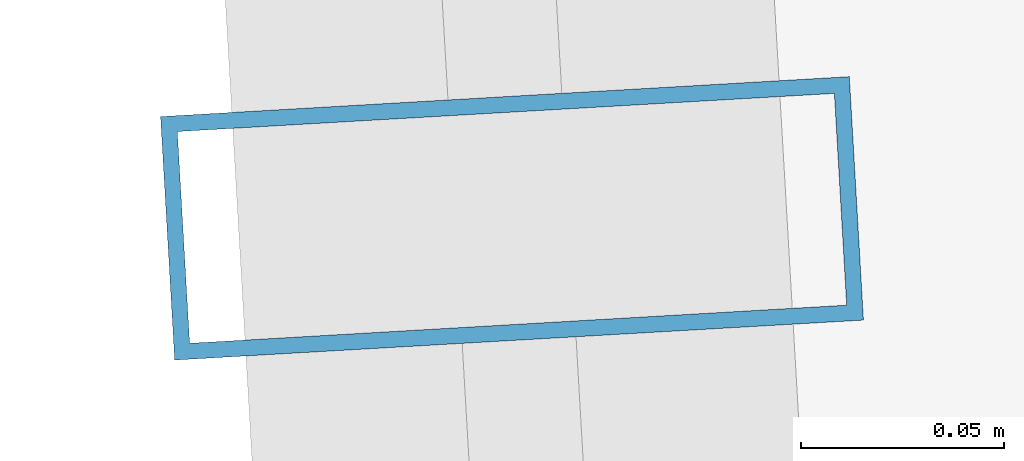
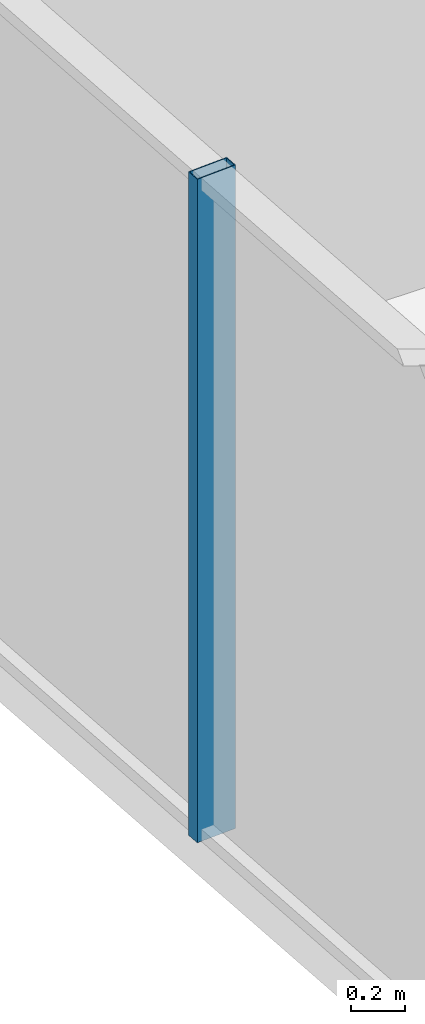
# One storey, part 10 of 33: 1 member, 1 element without a shape of its own.
"""IFC4 building model written with IfcOpenShell, lengths in metres."""

from ifc_helpers import new_model, si_unit, direction, frame, origin, origin_2d, place, context, subcontext, project, spatial, hollow_rectangle, extrude, source, transform, mapped, material, layer, layer_set, material_profile, profile_set, type_object, element, aggregate, save


model = new_model("IFC4")

# Units and contexts
model_context = context("Model", 3, precision=1e-05, world=origin(), true_north=direction((0.0, 1.0)))
body_context = subcontext(model_context, "Body", "Model", "MODEL_VIEW")
ifc_project = project(units=[si_unit("LENGTHUNIT", "METRE"), si_unit("AREAUNIT", "SQUARE_METRE"), si_unit("VOLUMEUNIT", "CUBIC_METRE"), si_unit("PLANEANGLEUNIT", "RADIAN"), si_unit("MASSUNIT", "GRAM", prefix="KILO")], contexts=[model_context])

# Site, building, storey
site_placement = place(None, origin())
site = spatial("IfcSite", under=ifc_project, at=site_placement, CompositionType="ELEMENT")
building_placement = place(site_placement, origin())
building = spatial("IfcBuilding", under=site, at=building_placement, Name="Veraguas Prism Commons", CompositionType="ELEMENT")
storey_placement = place(building_placement, frame((0.0, 0.0, 139.25)))
storey = spatial("IfcBuildingStorey", under=building, at=storey_placement, Name="L39", CompositionType="ELEMENT", Elevation=139.25)

# Curtain wall, member
ifc_material = material(Name="Anodised aluminium EN AW-6063 T6", Category="aluminium")
ifc_layer = layer(ifc_material, 0.169921875, Name="Unitised Flush Curtain Wall Zone 2", Category="aluminium")
ifc_layer_set = layer_set([ifc_layer], Name="Anodised aluminium EN AW-6063 T6")
curtain_wall_type = type_object("IfcCurtainWallType", Name="Unitised Flush Curtain Wall Zone 2", PredefinedType="NOTDEFINED", material=ifc_layer_set)
curtain_wall_placement = place(storey_placement, origin())
curtain_wall = element("IfcCurtainWall", 1, at=curtain_wall_placement, inside=storey, type_object=curtain_wall_type, Name="Tower Facade Curtain Wall L39-F3", PredefinedType="NOTDEFINED")
ifc_material_profile = material_profile(ifc_material, hollow_rectangle(XDim=0.06005859375, YDim=0.169921875, WallThickness=0.00390625, at=origin_2d()), Name="AL60X170X4")
ifc_profile_set = profile_set([ifc_material_profile], Name="Anodised aluminium EN AW-6063 T6")
member_type = type_object("IfcMemberType", Name="Curtain Wall Mullion Lower AL 60x170x4", PredefinedType="MULLION", material=ifc_profile_set)
shared_shape = source(origin(), body_context, "Body", "SweptSolid", [
    extrude(hollow_rectangle(XDim=0.06005859375, YDim=0.169921875, WallThickness=0.00390625, at=origin_2d()), origin(), (0.0, 0.0, 1.0), 3.0),
])
member_placement = place(storey_placement, frame((4.849609375, 22.88916015625, 0.0), z_axis=(0.0, 0.0, 1.0), x_axis=(0.05790728328, -0.998321965371, 0.0)))
member = element("IfcMember", 2, at=member_placement, type_object=member_type, Name="CW-Z2 Mullion 3", PredefinedType="MULLION", context=body_context, shape_type="MappedRepresentation", body=[
    mapped(shared_shape, transform((0.0, 0.0, 0.0), scale=1.0)),
])
aggregate(curtain_wall, [member])

save(model, "model.ifc")
